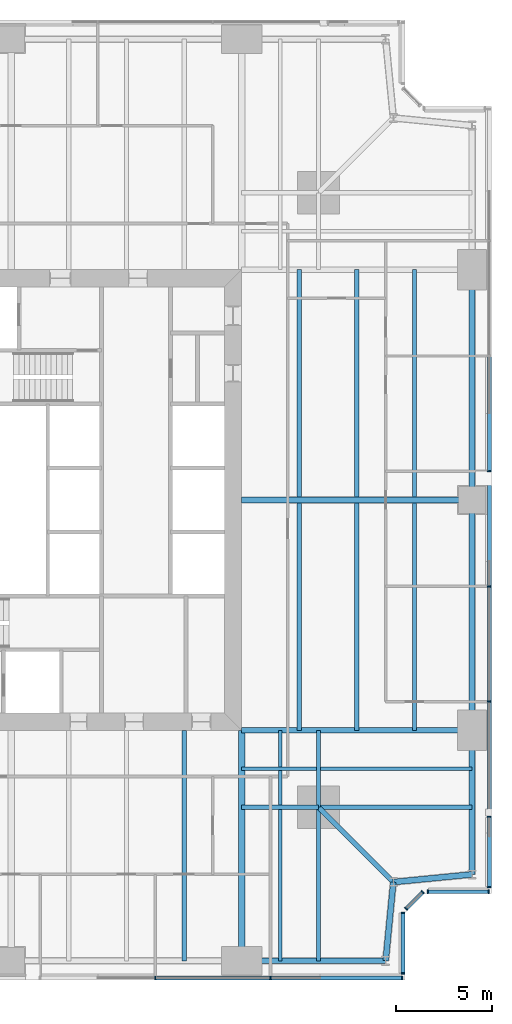
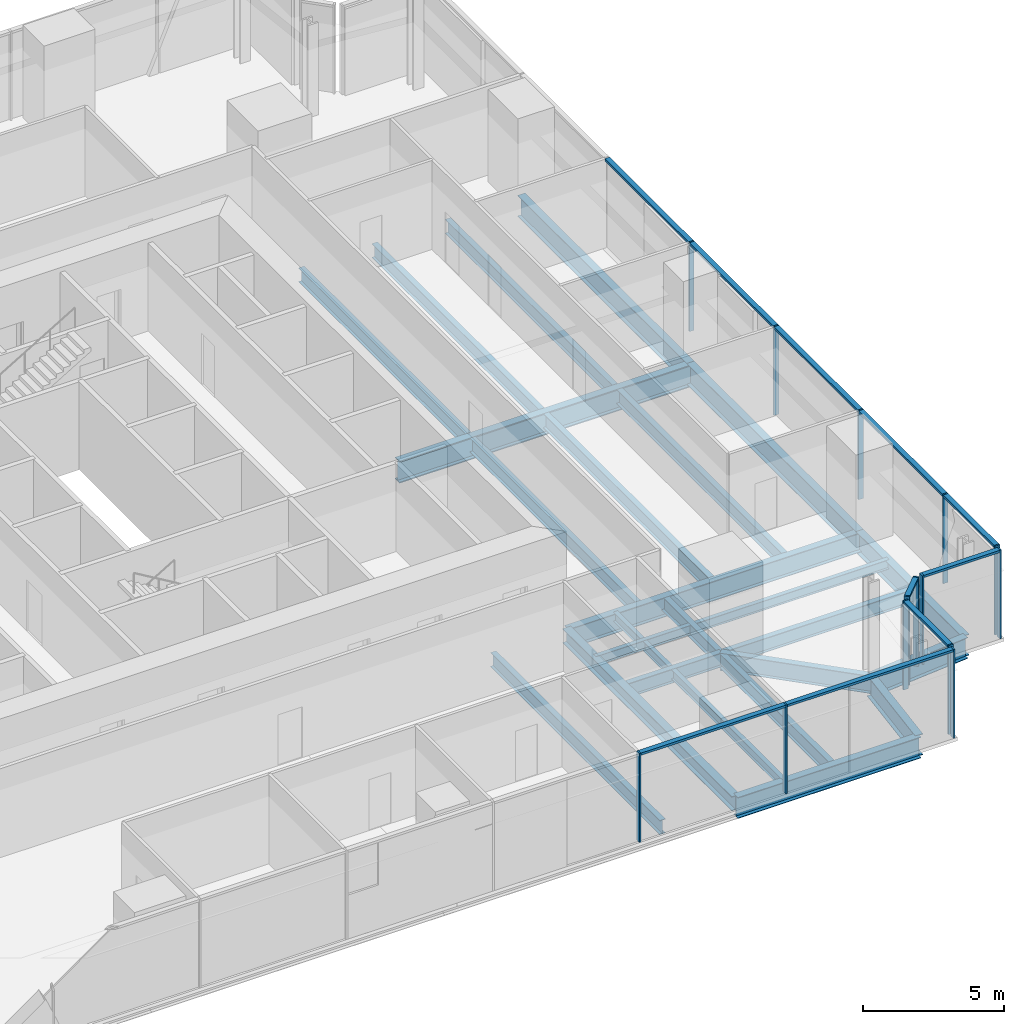
# One storey, part 5 of 13: 26 beams, 24 members, 5 elements without a shape of their own.
"""IFC4 building model written with IfcOpenShell, lengths in metres."""

from ifc_helpers import new_model, si_unit, direction, frame, origin, origin_2d, place, context, subcontext, project, spatial, rectangle, i_section, extrude, material, material_profile, profile_set, type_object, element, aggregate, save


model = new_model("IFC4")

# Units and contexts
model_context = context("Model", 3, precision=1e-05, world=origin(), true_north=direction((0.0, 1.0)))
body_context = subcontext(model_context, "Body", "Model", "MODEL_VIEW")
ifc_project = project(units=[si_unit("LENGTHUNIT", "METRE"), si_unit("AREAUNIT", "SQUARE_METRE"), si_unit("VOLUMEUNIT", "CUBIC_METRE"), si_unit("PLANEANGLEUNIT", "RADIAN"), si_unit("MASSUNIT", "GRAM", prefix="KILO")], contexts=[model_context])

# Site, building, storey
site_placement = place(None, origin())
site = spatial("IfcSite", under=ifc_project, at=site_placement, CompositionType="ELEMENT")
building_placement = place(site_placement, origin())
building = spatial("IfcBuilding", under=site, at=building_placement, Name="Fenwick Lantern Interchange", CompositionType="ELEMENT")
storey_placement = place(building_placement, frame((0.0, 0.0, 110.39990234375)))
storey = spatial("IfcBuildingStorey", under=building, at=storey_placement, Name="L25", CompositionType="ELEMENT", Elevation=110.39990234375)

# Beams
ifc_material_1 = material(Name="Steel ASTM A992 Grade 50", Category="steel")
ifc_material_profile_1 = material_profile(ifc_material_1, i_section(OverallWidth=0.3046875, OverallDepth=0.911865234375, WebThickness=0.015869140625, FlangeThickness=0.02392578125, at=origin_2d()), Name="W36X150")
ifc_profile_set_1 = profile_set([ifc_material_profile_1], Name="Steel ASTM A992 Grade 50")
beam_type_1 = type_object("IfcBeamType", Name="EDGE BEAM W36X150", PredefinedType="SPANDREL", material=ifc_profile_set_1)
beam_1_placement = place(storey_placement, frame((37.0, 1.0, -0.605712890625), z_axis=(1.0, 0.0, 0.0), x_axis=(0.0, 1.0, 0.0)))
element("IfcBeam", 1, at=beam_1_placement, inside=storey, type_object=beam_type_1, Name="L25/FR/S/EB4", PredefinedType="SPANDREL", context=body_context, shape_type="SweptSolid", body=[
    extrude(i_section(OverallWidth=0.3046875, OverallDepth=0.911865234375, WebThickness=0.015869140625, FlangeThickness=0.02392578125, at=origin_2d()), origin(), (0.0, 0.0, 1.0), 7.5),
])
for number, where, z_axis, x_axis, name in (
    (2, (44.5, 1.0, -0.605712890625), (0.097074191287, 0.995277148028, 0.0), (-0.995277148028, 0.097074191287, 0.0), "L25/FR/S/EBR1"),
    (3, (44.89990234375, 5.10009765625, -0.605712890625), (0.995277148028, 0.097074191287, 0.0), (-0.097074191287, 0.995277148028, 0.0), "L25/FR/S/EBR2"),
):
    element("IfcBeam", number, at=place(storey_placement, frame(where, z_axis=z_axis, x_axis=x_axis)), inside=storey, type_object=beam_type_1, Name=name, PredefinedType="SPANDREL", context=body_context, shape_type="SweptSolid", body=[
        extrude(i_section(OverallWidth=0.3046875, OverallDepth=0.911865234375, WebThickness=0.015869140625, FlangeThickness=0.02392578125, at=origin_2d()), origin(), (0.0, 0.0, 1.0), 4.11962890625),
    ])
beam_2_placement = place(storey_placement, frame((49.0, 5.5, -0.605712890625), z_axis=(0.0, 1.0, 0.0), x_axis=(-1.0, 0.0, 0.0)))
element("IfcBeam", 4, at=beam_2_placement, inside=storey, type_object=beam_type_1, Name="L25/FR/E/EB1", PredefinedType="SPANDREL", context=body_context, shape_type="SweptSolid", body=[
    extrude(i_section(OverallWidth=0.3046875, OverallDepth=0.911865234375, WebThickness=0.015869140625, FlangeThickness=0.02392578125, at=origin_2d()), origin(), (0.0, 0.0, 1.0), 7.5),
])
for number, where, z_axis, x_axis, name in (
    (5, (49.0, 13.0, -0.605712890625), (0.0, 1.0, 0.0), (-1.0, 0.0, 0.0), "L25/FR/E/EB2"),
    (6, (49.0, 25.0, -0.605712890625), (0.0, 1.0, 0.0), (-1.0, 0.0, 0.0), "L25/FR/E/EB3"),
):
    element("IfcBeam", number, at=place(storey_placement, frame(where, z_axis=z_axis, x_axis=x_axis)), inside=storey, type_object=beam_type_1, Name=name, PredefinedType="SPANDREL", context=body_context, shape_type="SweptSolid", body=[
        extrude(i_section(OverallWidth=0.3046875, OverallDepth=0.911865234375, WebThickness=0.015869140625, FlangeThickness=0.02392578125, at=origin_2d()), origin(), (0.0, 0.0, 1.0), 12.0),
    ])
ifc_material_profile_2 = material_profile(ifc_material_1, i_section(OverallWidth=0.22900390625, OverallDepth=0.612060546875, WebThickness=0.011962890625, FlangeThickness=0.01953125, at=origin_2d()), Name="W24X84")
ifc_profile_set_2 = profile_set([ifc_material_profile_2], Name="Steel ASTM A992 Grade 50")
beam_type_2 = type_object("IfcBeamType", Name="FLOOR BEAM W24X84", PredefinedType="BEAM", material=ifc_profile_set_2)
beam_3_placement = place(storey_placement, frame((34.0, 1.0, -0.4560546875), z_axis=(0.0, 1.0, 0.0), x_axis=(-1.0, 0.0, 0.0)))
element("IfcBeam", 7, at=beam_3_placement, inside=storey, type_object=beam_type_2, Name="L25/FR/S/R08", PredefinedType="BEAM", context=body_context, shape_type="SweptSolid", body=[
    extrude(i_section(OverallWidth=0.22900390625, OverallDepth=0.612060546875, WebThickness=0.011962890625, FlangeThickness=0.01953125, at=origin_2d()), origin(), (0.0, 0.0, 1.0), 12.0),
])
for number, where, z_axis, x_axis, name in (
    (8, (46.0, 13.0, -0.4560546875), (0.0, 1.0, 0.0), (-1.0, 0.0, 0.0), "L25/FR/E/B01"),
    (9, (43.0, 13.0, -0.4560546875), (0.0, 1.0, 0.0), (-1.0, 0.0, 0.0), "L25/FR/E/B02"),
    (10, (40.0, 13.0, -0.4560546875), (0.0, 1.0, 0.0), (-1.0, 0.0, 0.0), "L25/FR/E/B03"),
    (11, (46.0, 25.155029296875, -0.4560546875), (0.0, 1.0, 0.0), (-1.0, 0.0, 0.0), "L25/FR/E/B04"),
    (12, (43.0, 25.155029296875, -0.4560546875), (0.0, 1.0, 0.0), (-1.0, 0.0, 0.0), "L25/FR/E/B05"),
    (13, (40.0, 25.155029296875, -0.4560546875), (0.0, 1.0, 0.0), (-1.0, 0.0, 0.0), "L25/FR/E/B06"),
):
    element("IfcBeam", number, at=place(storey_placement, frame(where, z_axis=z_axis, x_axis=x_axis)), inside=storey, type_object=beam_type_2, Name=name, PredefinedType="BEAM", context=body_context, shape_type="SweptSolid", body=[
        extrude(i_section(OverallWidth=0.22900390625, OverallDepth=0.612060546875, WebThickness=0.011962890625, FlangeThickness=0.01953125, at=origin_2d()), origin(), (0.0, 0.0, 1.0), 11.844970703125),
    ])
ifc_material_profile_3 = material_profile(ifc_material_1, i_section(OverallWidth=0.177734375, OverallDepth=0.406494140625, WebThickness=0.0078125, FlangeThickness=0.012939453125, at=origin_2d()), Name="W16X40")
ifc_profile_set_3 = profile_set([ifc_material_profile_3], Name="Steel ASTM A992 Grade 50")
beam_type_3 = type_object("IfcBeamType", Name="INFILL BEAM W16X40", PredefinedType="JOIST", material=ifc_profile_set_3)
beam_4_placement = place(storey_placement, frame((49.0, 11.0, -0.35302734375), z_axis=(-1.0, 0.0, 0.0), x_axis=(0.0, -1.0, 0.0)))
element("IfcBeam", 14, at=beam_4_placement, inside=storey, type_object=beam_type_3, Name="L25/FR/E/J1", PredefinedType="JOIST", context=body_context, shape_type="SweptSolid", body=[
    extrude(i_section(OverallWidth=0.177734375, OverallDepth=0.406494140625, WebThickness=0.0078125, FlangeThickness=0.012939453125, at=origin_2d()), origin(), (0.0, 0.0, 1.0), 7.885498046875),
])
beam_5_placement = place(storey_placement, frame((40.885498046875, 11.0, -0.35302734375), z_axis=(-1.0, 0.0, 0.0), x_axis=(0.0, -1.0, 0.0)))
element("IfcBeam", 15, at=beam_5_placement, inside=storey, type_object=beam_type_3, Name="L25/FR/E/J2", PredefinedType="JOIST", context=body_context, shape_type="SweptSolid", body=[
    extrude(i_section(OverallWidth=0.177734375, OverallDepth=0.406494140625, WebThickness=0.0078125, FlangeThickness=0.012939453125, at=origin_2d()), origin(), (0.0, 0.0, 1.0), 3.885498046875),
])
beam_6_placement = place(storey_placement, frame((39.0, 1.0, -0.35302734375), z_axis=(0.0, 1.0, 0.0), x_axis=(-1.0, 0.0, 0.0)))
element("IfcBeam", 16, at=beam_6_placement, inside=storey, type_object=beam_type_3, Name="L25/FR/E/J3", PredefinedType="JOIST", context=body_context, shape_type="SweptSolid", body=[
    extrude(i_section(OverallWidth=0.177734375, OverallDepth=0.406494140625, WebThickness=0.0078125, FlangeThickness=0.012939453125, at=origin_2d()), origin(), (0.0, 0.0, 1.0), 7.885498046875),
])
beam_7_placement = place(storey_placement, frame((39.0, 9.114501953125, -0.35302734375), z_axis=(0.0, 1.0, 0.0), x_axis=(-1.0, 0.0, 0.0)))
element("IfcBeam", 17, at=beam_7_placement, inside=storey, type_object=beam_type_3, Name="L25/FR/E/J4", PredefinedType="JOIST", context=body_context, shape_type="SweptSolid", body=[
    extrude(i_section(OverallWidth=0.177734375, OverallDepth=0.406494140625, WebThickness=0.0078125, FlangeThickness=0.012939453125, at=origin_2d()), origin(), (0.0, 0.0, 1.0), 1.796630859375),
])
beam_8_placement = place(storey_placement, frame((39.0, 11.0888671875, -0.35302734375), z_axis=(0.0, 1.0, 0.0), x_axis=(-1.0, 0.0, 0.0)))
element("IfcBeam", 18, at=beam_8_placement, inside=storey, type_object=beam_type_3, Name="L25/FR/E/J5", PredefinedType="JOIST", context=body_context, shape_type="SweptSolid", body=[
    extrude(i_section(OverallWidth=0.177734375, OverallDepth=0.406494140625, WebThickness=0.0078125, FlangeThickness=0.012939453125, at=origin_2d()), origin(), (0.0, 0.0, 1.0), 1.9111328125),
])
ifc_material_profile_4 = material_profile(ifc_material_1, i_section(OverallWidth=0.22900390625, OverallDepth=0.612060546875, WebThickness=0.011962890625, FlangeThickness=0.01953125, at=origin_2d()), Name="W24X84")
ifc_profile_set_4 = profile_set([ifc_material_profile_4], Name="Steel ASTM A992 Grade 50")
beam_type_4 = type_object("IfcBeamType", Name="MEGA COLUMN BEAM W24X84", PredefinedType="BEAM", material=ifc_profile_set_4)
for number, where, z_axis, x_axis, name in (
    (19, (41.0, 9.0, -0.4560546875), (1.0, 0.0, 0.0), (0.0, 1.0, 0.0), "L25/FR/E/MB1"),
    (20, (41.0, 9.0, -0.4560546875), (0.0, -1.0, 0.0), (1.0, 0.0, 0.0), "L25/FR/E/MB2"),
):
    element("IfcBeam", number, at=place(storey_placement, frame(where, z_axis=z_axis, x_axis=x_axis)), inside=storey, type_object=beam_type_4, Name=name, PredefinedType="BEAM", context=body_context, shape_type="SweptSolid", body=[
        extrude(i_section(OverallWidth=0.22900390625, OverallDepth=0.612060546875, WebThickness=0.011962890625, FlangeThickness=0.01953125, at=origin_2d()), origin(), (0.0, 0.0, 1.0), 8.0),
    ])
for number, where, z_axis, x_axis, name in (
    (21, (41.0, 9.0, -0.4560546875), (0.0, 1.0, 0.0), (-1.0, 0.0, 0.0), "L25/FR/E/MB3"),
    (22, (41.0, 9.0, -0.4560546875), (-1.0, 0.0, 0.0), (0.0, -1.0, 0.0), "L25/FR/E/MB4"),
):
    element("IfcBeam", number, at=place(storey_placement, frame(where, z_axis=z_axis, x_axis=x_axis)), inside=storey, type_object=beam_type_4, Name=name, PredefinedType="BEAM", context=body_context, shape_type="SweptSolid", body=[
        extrude(i_section(OverallWidth=0.22900390625, OverallDepth=0.612060546875, WebThickness=0.011962890625, FlangeThickness=0.01953125, at=origin_2d()), origin(), (0.0, 0.0, 1.0), 4.0),
    ])
ifc_material_profile_5 = material_profile(ifc_material_1, i_section(OverallWidth=0.32763671875, OverallDepth=0.622314453125, WebThickness=0.015380859375, FlangeThickness=0.0244140625, at=origin_2d()), Name="W24X131")
ifc_profile_set_5 = profile_set([ifc_material_profile_5], Name="Steel ASTM A992 Grade 50")
beam_type_5 = type_object("IfcBeamType", Name="MOMENT-CONNECTED GIRDER W24X131", PredefinedType="BEAM", material=ifc_profile_set_5)
beam_9_placement = place(storey_placement, frame((37.0, 1.0, -0.4609375), z_axis=(0.0, 1.0, 0.0), x_axis=(-1.0, 0.0, 0.0)))
element("IfcBeam", 23, at=beam_9_placement, inside=storey, type_object=beam_type_5, Name="L25/FR/S/R09", PredefinedType="BEAM", context=body_context, shape_type="SweptSolid", body=[
    extrude(i_section(OverallWidth=0.32763671875, OverallDepth=0.622314453125, WebThickness=0.015380859375, FlangeThickness=0.0244140625, at=origin_2d()), origin(), (0.0, 0.0, 1.0), 12.0),
])
ifc_material_profile_6 = material_profile(ifc_material_1, i_section(OverallWidth=0.2919921875, OverallDepth=0.845703125, WebThickness=0.015380859375, FlangeThickness=0.0244140625, at=origin_2d()), Name="W33X141")
ifc_profile_set_6 = profile_set([ifc_material_profile_6], Name="Steel ASTM A992 Grade 50")
beam_type_6 = type_object("IfcBeamType", Name="MOMENT-CONNECTED GIRDER W33X141", PredefinedType="BEAM", material=ifc_profile_set_6)
beam_10_placement = place(storey_placement, frame((49.0, 13.0, -0.57275390625), z_axis=(-1.0, 0.0, 0.0), x_axis=(0.0, -1.0, 0.0)))
element("IfcBeam", 24, at=beam_10_placement, inside=storey, type_object=beam_type_6, Name="L25/FR/E/R01", PredefinedType="BEAM", context=body_context, shape_type="SweptSolid", body=[
    extrude(i_section(OverallWidth=0.2919921875, OverallDepth=0.845703125, WebThickness=0.015380859375, FlangeThickness=0.0244140625, at=origin_2d()), origin(), (0.0, 0.0, 1.0), 12.0),
])
ifc_material_profile_7 = material_profile(ifc_material_1, i_section(OverallWidth=0.309814453125, OverallDepth=0.949951171875, WebThickness=0.0244140625, FlangeThickness=0.0439453125, at=origin_2d()), Name="W36X256")
ifc_profile_set_7 = profile_set([ifc_material_profile_7], Name="Steel ASTM A992 Grade 50")
beam_type_7 = type_object("IfcBeamType", Name="MOMENT-CONNECTED GIRDER W36X256", PredefinedType="BEAM", material=ifc_profile_set_7)
beam_11_placement = place(storey_placement, frame((49.0, 25.0, -0.625), z_axis=(-1.0, 0.0, 0.0), x_axis=(0.0, -1.0, 0.0)))
element("IfcBeam", 25, at=beam_11_placement, inside=storey, type_object=beam_type_7, Name="L25/FR/E/R02", PredefinedType="BEAM", context=body_context, shape_type="SweptSolid", body=[
    extrude(i_section(OverallWidth=0.309814453125, OverallDepth=0.949951171875, WebThickness=0.0244140625, FlangeThickness=0.0439453125, at=origin_2d()), origin(), (0.0, 0.0, 1.0), 12.0),
])
ifc_material_profile_8 = material_profile(ifc_material_1, i_section(OverallWidth=0.2666015625, OverallDepth=0.7568359375, WebThickness=0.013916015625, FlangeThickness=0.019287109375, at=origin_2d()), Name="W30X108")
ifc_profile_set_8 = profile_set([ifc_material_profile_8], Name="Steel ASTM A992 Grade 50")
beam_type_8 = type_object("IfcBeamType", Name="NOTCH BEAM W30X108", PredefinedType="BEAM", material=ifc_profile_set_8)
beam_12_placement = place(storey_placement, frame((41.0, 9.0, -0.5283203125), z_axis=(0.707106781187, -0.707106781187, 0.0), x_axis=(0.707106781187, 0.707106781187, 0.0)))
element("IfcBeam", 26, at=beam_12_placement, inside=storey, type_object=beam_type_8, Name="L25/FR/E/TG", PredefinedType="BEAM", context=body_context, shape_type="SweptSolid", body=[
    extrude(i_section(OverallWidth=0.2666015625, OverallDepth=0.7568359375, WebThickness=0.013916015625, FlangeThickness=0.019287109375, at=origin_2d()), origin(), (0.0, 0.0, 1.0), 5.515380859375),
])

# Curtain wall, members
ifc_material_2 = material(Name="Aluminium curtain wall frame", Category="aluminium")
curtain_wall_type = type_object("IfcCurtainWallType", Name="OFFICE CURTAIN WALL", PredefinedType="USERDEFINED", material=ifc_material_2)
curtain_wall_1_placement = place(storey_placement, origin())
curtain_wall_1 = element("IfcCurtainWall", 27, at=curtain_wall_1_placement, inside=storey, type_object=curtain_wall_type, Name="Office curtain wall 01", ObjectType="OFFICE CURTAIN WALL", PredefinedType="USERDEFINED")
ifc_material_3 = material(Name="Aluminium extrusion", Category="aluminium")
ifc_material_profile_9 = material_profile(ifc_material_3, rectangle(XDim=0.199951171875, YDim=0.06494140625, at=origin_2d()), Name="OFFICE CURTAIN WALL MULLION 65 X 200")
ifc_profile_set_9 = profile_set([ifc_material_profile_9], Name="Aluminium extrusion")
member_type_1 = type_object("IfcMemberType", Name="OFFICE CURTAIN WALL MULLION 65 X 200", PredefinedType="MULLION", material=ifc_profile_set_9)
member_1_placement = place(storey_placement, frame((32.5, 0.10009765625, 0.0), z_axis=(0.0, 0.0, 1.0), x_axis=(0.0, 1.0, 0.0)))
member_1 = element("IfcMember", 28, at=member_1_placement, type_object=member_type_1, Name="L25/CW/01/M05", PredefinedType="MULLION", context=body_context, shape_type="SweptSolid", body=[
    extrude(rectangle(XDim=0.199951171875, YDim=0.06494140625, at=origin_2d()), origin(), (0.0, 0.0, 1.0), 3.85009765625),
])
member_2_placement = place(storey_placement, frame((38.5, 0.10009765625, 0.0), z_axis=(0.0, 0.0, 1.0), x_axis=(0.0, 1.0, 0.0)))
member_2 = element("IfcMember", 29, at=member_2_placement, type_object=member_type_1, Name="L25/CW/01/M06", PredefinedType="MULLION", context=body_context, shape_type="SweptSolid", body=[
    extrude(rectangle(XDim=0.199951171875, YDim=0.06494140625, at=origin_2d()), origin(), (0.0, 0.0, 1.0), 3.85009765625),
])
member_3_placement = place(storey_placement, frame((45.367431640625, 0.10009765625, 0.0), z_axis=(0.0, 0.0, 1.0), x_axis=(0.0, 1.0, 0.0)))
member_3 = element("IfcMember", 30, at=member_3_placement, type_object=member_type_1, Name="L25/CW/01/M07", PredefinedType="MULLION", context=body_context, shape_type="SweptSolid", body=[
    extrude(rectangle(XDim=0.199951171875, YDim=0.06494140625, at=origin_2d()), origin(), (0.0, 0.0, 1.0), 3.85009765625),
])

curtain_wall_2_placement = place(storey_placement, origin())
curtain_wall_2 = element("IfcCurtainWall", 31, at=curtain_wall_2_placement, inside=storey, type_object=curtain_wall_type, Name="Office curtain wall 02", ObjectType="OFFICE CURTAIN WALL", PredefinedType="USERDEFINED")
member_4_placement = place(storey_placement, frame((45.39990234375, 0.33251953125, 0.0), z_axis=(0.0, 0.0, 1.0), x_axis=(-1.0, 0.0, 0.0)))
member_4 = element("IfcMember", 32, at=member_4_placement, type_object=member_type_1, Name="L25/CW/02/M00", PredefinedType="MULLION", context=body_context, shape_type="SweptSolid", body=[
    extrude(rectangle(XDim=0.199951171875, YDim=0.06494140625, at=origin_2d()), origin(), (0.0, 0.0, 1.0), 3.85009765625),
])
member_5_placement = place(storey_placement, frame((45.39990234375, 3.509033203125, 0.0), z_axis=(0.0, 0.0, 1.0), x_axis=(-1.0, 0.0, 0.0)))
member_5 = element("IfcMember", 33, at=member_5_placement, type_object=member_type_1, Name="L25/CW/02/M01", PredefinedType="MULLION", context=body_context, shape_type="SweptSolid", body=[
    extrude(rectangle(XDim=0.199951171875, YDim=0.06494140625, at=origin_2d()), origin(), (0.0, 0.0, 1.0), 3.85009765625),
])

curtain_wall_3_placement = place(storey_placement, origin())
curtain_wall_3 = element("IfcCurtainWall", 34, at=curtain_wall_3_placement, inside=storey, type_object=curtain_wall_type, Name="Office curtain wall 03", ObjectType="OFFICE CURTAIN WALL", PredefinedType="USERDEFINED")
member_6_placement = place(storey_placement, frame((45.564453125, 3.705810546875, 0.0), z_axis=(0.0, 0.0, 1.0), x_axis=(-0.707106781187, 0.707106781187, 0.0)))
member_6 = element("IfcMember", 35, at=member_6_placement, type_object=member_type_1, Name="L25/CW/03/M00", PredefinedType="MULLION", context=body_context, shape_type="SweptSolid", body=[
    extrude(rectangle(XDim=0.199951171875, YDim=0.06494140625, at=origin_2d()), origin(), (0.0, 0.0, 1.0), 3.85009765625),
])
member_7_placement = place(storey_placement, frame((46.435546875, 4.576904296875, 0.0), z_axis=(0.0, 0.0, 1.0), x_axis=(-0.707106781187, 0.707106781187, 0.0)))
member_7 = element("IfcMember", 36, at=member_7_placement, type_object=member_type_1, Name="L25/CW/03/M01", PredefinedType="MULLION", context=body_context, shape_type="SweptSolid", body=[
    extrude(rectangle(XDim=0.199951171875, YDim=0.06494140625, at=origin_2d()), origin(), (0.0, 0.0, 1.0), 3.85009765625),
])

curtain_wall_4_placement = place(storey_placement, origin())
curtain_wall_4 = element("IfcCurtainWall", 37, at=curtain_wall_4_placement, inside=storey, type_object=curtain_wall_type, Name="Office curtain wall 04", ObjectType="OFFICE CURTAIN WALL", PredefinedType="USERDEFINED")
member_8_placement = place(storey_placement, frame((46.691162109375, 4.60009765625, 0.0), z_axis=(0.0, 0.0, 1.0), x_axis=(0.0, 1.0, 0.0)))
member_8 = element("IfcMember", 38, at=member_8_placement, type_object=member_type_1, Name="L25/CW/04/M00", PredefinedType="MULLION", context=body_context, shape_type="SweptSolid", body=[
    extrude(rectangle(XDim=0.199951171875, YDim=0.06494140625, at=origin_2d()), origin(), (0.0, 0.0, 1.0), 3.85009765625),
])
member_9_placement = place(storey_placement, frame((49.867431640625, 4.60009765625, 0.0), z_axis=(0.0, 0.0, 1.0), x_axis=(0.0, 1.0, 0.0)))
member_9 = element("IfcMember", 39, at=member_9_placement, type_object=member_type_1, Name="L25/CW/04/M01", PredefinedType="MULLION", context=body_context, shape_type="SweptSolid", body=[
    extrude(rectangle(XDim=0.199951171875, YDim=0.06494140625, at=origin_2d()), origin(), (0.0, 0.0, 1.0), 3.85009765625),
])

curtain_wall_5_placement = place(storey_placement, origin())
curtain_wall_5 = element("IfcCurtainWall", 40, at=curtain_wall_5_placement, inside=storey, type_object=curtain_wall_type, Name="Office curtain wall 05", ObjectType="OFFICE CURTAIN WALL", PredefinedType="USERDEFINED")
member_10_placement = place(storey_placement, frame((49.89990234375, 4.83251953125, 0.0), z_axis=(0.0, 0.0, 1.0), x_axis=(-1.0, 0.0, 0.0)))
member_10 = element("IfcMember", 41, at=member_10_placement, type_object=member_type_1, Name="L25/CW/05/M00", PredefinedType="MULLION", context=body_context, shape_type="SweptSolid", body=[
    extrude(rectangle(XDim=0.199951171875, YDim=0.06494140625, at=origin_2d()), origin(), (0.0, 0.0, 1.0), 3.85009765625),
])
member_11_placement = place(storey_placement, frame((49.89990234375, 8.5, 0.0), z_axis=(0.0, 0.0, 1.0), x_axis=(-1.0, 0.0, 0.0)))
member_11 = element("IfcMember", 42, at=member_11_placement, type_object=member_type_1, Name="L25/CW/05/M01", PredefinedType="MULLION", context=body_context, shape_type="SweptSolid", body=[
    extrude(rectangle(XDim=0.199951171875, YDim=0.06494140625, at=origin_2d()), origin(), (0.0, 0.0, 1.0), 3.85009765625),
])
member_12_placement = place(storey_placement, frame((49.89990234375, 14.5, 0.0), z_axis=(0.0, 0.0, 1.0), x_axis=(-1.0, 0.0, 0.0)))
member_12 = element("IfcMember", 43, at=member_12_placement, type_object=member_type_1, Name="L25/CW/05/M02", PredefinedType="MULLION", context=body_context, shape_type="SweptSolid", body=[
    extrude(rectangle(XDim=0.199951171875, YDim=0.06494140625, at=origin_2d()), origin(), (0.0, 0.0, 1.0), 3.85009765625),
])
member_13_placement = place(storey_placement, frame((49.89990234375, 20.5, 0.0), z_axis=(0.0, 0.0, 1.0), x_axis=(-1.0, 0.0, 0.0)))
member_13 = element("IfcMember", 44, at=member_13_placement, type_object=member_type_1, Name="L25/CW/05/M03", PredefinedType="MULLION", context=body_context, shape_type="SweptSolid", body=[
    extrude(rectangle(XDim=0.199951171875, YDim=0.06494140625, at=origin_2d()), origin(), (0.0, 0.0, 1.0), 3.85009765625),
])
member_14_placement = place(storey_placement, frame((49.89990234375, 26.5, 0.0), z_axis=(0.0, 0.0, 1.0), x_axis=(-1.0, 0.0, 0.0)))
member_14 = element("IfcMember", 45, at=member_14_placement, type_object=member_type_1, Name="L25/CW/05/M04", PredefinedType="MULLION", context=body_context, shape_type="SweptSolid", body=[
    extrude(rectangle(XDim=0.199951171875, YDim=0.06494140625, at=origin_2d()), origin(), (0.0, 0.0, 1.0), 3.85009765625),
])

# Member
ifc_material_profile_10 = material_profile(ifc_material_3, rectangle(XDim=0.199951171875, YDim=0.10009765625, at=origin_2d()), Name="OFFICE CURTAIN WALL TRANSOM 100 X 200")
ifc_profile_set_10 = profile_set([ifc_material_profile_10], Name="Aluminium extrusion")
member_type_2 = type_object("IfcMemberType", Name="OFFICE CURTAIN WALL TRANSOM 100 X 200", PredefinedType="MULLION", material=ifc_profile_set_10)
member_15_placement = place(storey_placement, frame((32.532470703125, 0.10009765625, 3.800048828125), z_axis=(1.0, 0.0, 0.0), x_axis=(0.0, 1.0, 0.0)))
member_15 = element("IfcMember", 46, at=member_15_placement, type_object=member_type_2, Name="L25/CW/01/T05", PredefinedType="MULLION", context=body_context, shape_type="SweptSolid", body=[
    extrude(rectangle(XDim=0.199951171875, YDim=0.10009765625, at=origin_2d()), origin(), (0.0, 0.0, 1.0), 5.93505859375),
])

member_16_placement = place(storey_placement, frame((38.532470703125, 0.10009765625, 3.800048828125), z_axis=(1.0, 0.0, 0.0), x_axis=(0.0, 1.0, 0.0)))
member_16 = element("IfcMember", 47, at=member_16_placement, type_object=member_type_2, Name="L25/CW/01/T06", PredefinedType="MULLION", context=body_context, shape_type="SweptSolid", body=[
    extrude(rectangle(XDim=0.199951171875, YDim=0.10009765625, at=origin_2d()), origin(), (0.0, 0.0, 1.0), 6.802490234375),
])

aggregate(curtain_wall_1, [member_1, member_2, member_3, member_15, member_16])

member_17_placement = place(storey_placement, frame((45.39990234375, 0.364990234375, 3.800048828125), z_axis=(0.0, 1.0, 0.0), x_axis=(-1.0, 0.0, 0.0)))
member_17 = element("IfcMember", 48, at=member_17_placement, type_object=member_type_2, Name="L25/CW/02/T00", PredefinedType="MULLION", context=body_context, shape_type="SweptSolid", body=[
    extrude(rectangle(XDim=0.199951171875, YDim=0.10009765625, at=origin_2d()), origin(), (0.0, 0.0, 1.0), 3.111328125),
])

aggregate(curtain_wall_2, [member_4, member_5, member_17])

member_18_placement = place(storey_placement, frame((45.58740234375, 3.728759765625, 3.800048828125), z_axis=(0.707106781187, 0.707106781187, 0.0), x_axis=(-0.707106781187, 0.707106781187, 0.0)))
member_18 = element("IfcMember", 49, at=member_18_placement, type_object=member_type_2, Name="L25/CW/03/T00", PredefinedType="MULLION", context=body_context, shape_type="SweptSolid", body=[
    extrude(rectangle(XDim=0.199951171875, YDim=0.10009765625, at=origin_2d()), origin(), (0.0, 0.0, 1.0), 1.1669921875),
])

aggregate(curtain_wall_3, [member_6, member_7, member_18])

member_19_placement = place(storey_placement, frame((46.7236328125, 4.60009765625, 3.800048828125), z_axis=(1.0, 0.0, 0.0), x_axis=(0.0, 1.0, 0.0)))
member_19 = element("IfcMember", 50, at=member_19_placement, type_object=member_type_2, Name="L25/CW/04/T00", PredefinedType="MULLION", context=body_context, shape_type="SweptSolid", body=[
    extrude(rectangle(XDim=0.199951171875, YDim=0.10009765625, at=origin_2d()), origin(), (0.0, 0.0, 1.0), 3.111328125),
])

aggregate(curtain_wall_4, [member_8, member_9, member_19])

member_20_placement = place(storey_placement, frame((49.89990234375, 4.864990234375, 3.800048828125), z_axis=(0.0, 1.0, 0.0), x_axis=(-1.0, 0.0, 0.0)))
member_20 = element("IfcMember", 51, at=member_20_placement, type_object=member_type_2, Name="L25/CW/05/T00", PredefinedType="MULLION", context=body_context, shape_type="SweptSolid", body=[
    extrude(rectangle(XDim=0.199951171875, YDim=0.10009765625, at=origin_2d()), origin(), (0.0, 0.0, 1.0), 3.6025390625),
])

member_21_placement = place(storey_placement, frame((49.89990234375, 8.532470703125, 3.800048828125), z_axis=(0.0, 1.0, 0.0), x_axis=(-1.0, 0.0, 0.0)))
member_21 = element("IfcMember", 52, at=member_21_placement, type_object=member_type_2, Name="L25/CW/05/T01", PredefinedType="MULLION", context=body_context, shape_type="SweptSolid", body=[
    extrude(rectangle(XDim=0.199951171875, YDim=0.10009765625, at=origin_2d()), origin(), (0.0, 0.0, 1.0), 5.93505859375),
])

member_22_placement = place(storey_placement, frame((49.89990234375, 14.532470703125, 3.800048828125), z_axis=(0.0, 1.0, 0.0), x_axis=(-1.0, 0.0, 0.0)))
member_22 = element("IfcMember", 53, at=member_22_placement, type_object=member_type_2, Name="L25/CW/05/T02", PredefinedType="MULLION", context=body_context, shape_type="SweptSolid", body=[
    extrude(rectangle(XDim=0.199951171875, YDim=0.10009765625, at=origin_2d()), origin(), (0.0, 0.0, 1.0), 5.93505859375),
])

member_23_placement = place(storey_placement, frame((49.89990234375, 20.532470703125, 3.800048828125), z_axis=(0.0, 1.0, 0.0), x_axis=(-1.0, 0.0, 0.0)))
member_23 = element("IfcMember", 54, at=member_23_placement, type_object=member_type_2, Name="L25/CW/05/T03", PredefinedType="MULLION", context=body_context, shape_type="SweptSolid", body=[
    extrude(rectangle(XDim=0.199951171875, YDim=0.10009765625, at=origin_2d()), origin(), (0.0, 0.0, 1.0), 5.93505859375),
])

member_24_placement = place(storey_placement, frame((49.89990234375, 26.532470703125, 3.800048828125), z_axis=(0.0, 1.0, 0.0), x_axis=(-1.0, 0.0, 0.0)))
member_24 = element("IfcMember", 55, at=member_24_placement, type_object=member_type_2, Name="L25/CW/05/T04", PredefinedType="MULLION", context=body_context, shape_type="SweptSolid", body=[
    extrude(rectangle(XDim=0.199951171875, YDim=0.10009765625, at=origin_2d()), origin(), (0.0, 0.0, 1.0), 5.93505859375),
])

aggregate(curtain_wall_5, [member_10, member_11, member_12, member_13, member_14, member_20, member_21, member_22, member_23, member_24])

save(model, "model.ifc")
